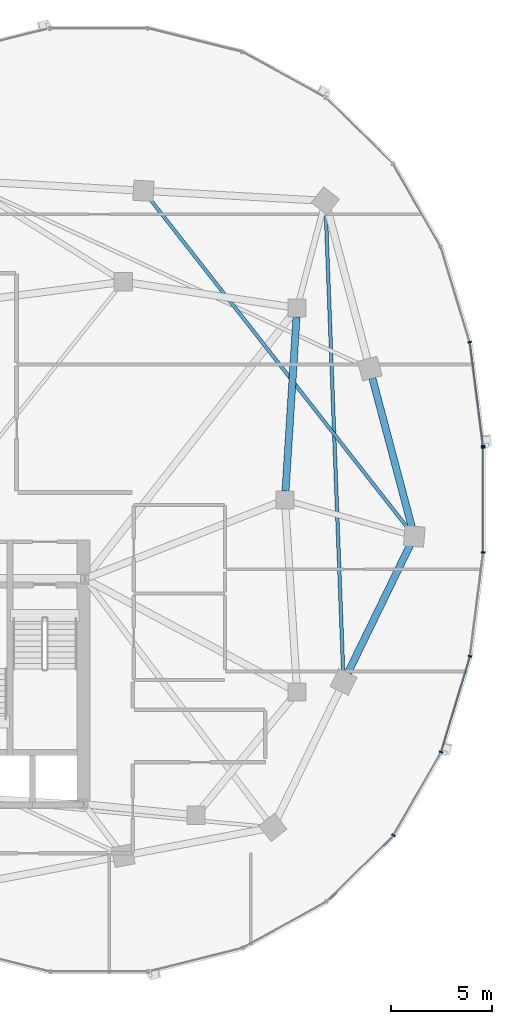
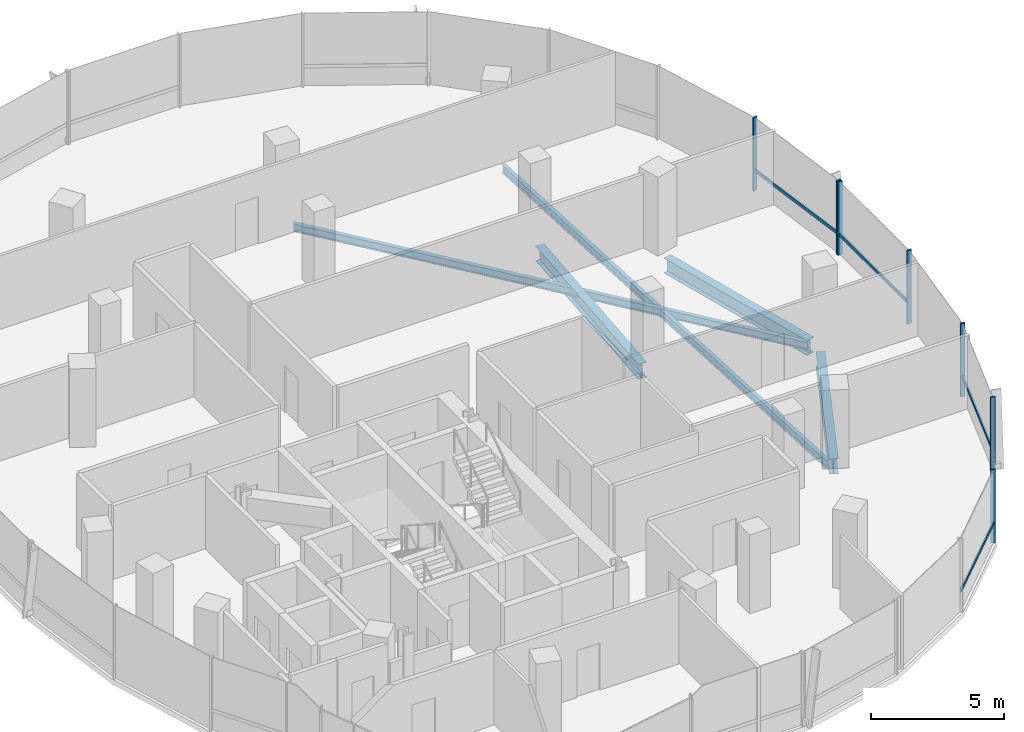
# One storey, part 8 of 23: 11 members, 5 beams, 2 elements without a shape of their own.
"""IFC4 building model written with IfcOpenShell, lengths in metres."""

from ifc_helpers import new_model, si_unit, direction, frame, origin, origin_2d, place, context, subcontext, project, spatial, rectangle, i_section, extrude, material, material_profile, profile_set, type_object, element, aggregate, save


model = new_model("IFC4")

# Units and contexts
model_context = context("Model", 3, precision=1e-05, world=origin(), true_north=direction((0.0, 1.0)))
body_context = subcontext(model_context, "Body", "Model", "MODEL_VIEW")
ifc_project = project(units=[si_unit("LENGTHUNIT", "METRE"), si_unit("AREAUNIT", "SQUARE_METRE"), si_unit("VOLUMEUNIT", "CUBIC_METRE"), si_unit("PLANEANGLEUNIT", "RADIAN"), si_unit("MASSUNIT", "GRAM", prefix="KILO"), si_unit("THERMODYNAMICTEMPERATUREUNIT", "KELVIN"), si_unit("POWERUNIT", "WATT")], contexts=[model_context])

# Site, building, storey
site_placement = place(None, origin())
site = spatial("IfcSite", under=ifc_project, at=site_placement, CompositionType="ELEMENT")
building_placement = place(site_placement, origin())
building = spatial("IfcBuilding", under=site, at=building_placement, Name="Cundina Bronze Exchange", CompositionType="ELEMENT")
storey_placement = place(building_placement, frame((0.0, 0.0, 169.199951171875)))
storey = spatial("IfcBuildingStorey", under=building, at=storey_placement, Name="L44", CompositionType="ELEMENT", Elevation=169.199951171875)

# Beams
ifc_material_1 = material(Name="Steel ASTM A992 Grade 50", Category="steel")
ifc_material_profile_1 = material_profile(ifc_material_1, i_section(OverallWidth=0.172119140625, OverallDepth=0.35791015625, WebThickness=0.0078125, FlangeThickness=0.01318359375, FilletRadius=0.010009765625, at=origin_2d()), Name="W14X38", Category="steel")
ifc_profile_set_1 = profile_set([ifc_material_profile_1], Name="Steel ASTM A992 Grade 50")
beam_type_1 = type_object("IfcBeamType", Name="BM-JST-W14", PredefinedType="JOIST", material=ifc_profile_set_1)
beam_1_placement = place(storey_placement, frame((44.08154296875, -8.51220703125, -0.4189453125), z_axis=(-0.037784933381, 0.999285894431, 0.0), x_axis=(-0.999285894431, -0.037784933381, 0.0)))
element("IfcBeam", 1, at=beam_1_placement, inside=storey, type_object=beam_type_1, Name="L44 Leg E Lobe Floor Joist 07-10", PredefinedType="JOIST", context=body_context, shape_type="SweptSolid", body=[
    extrude(i_section(OverallWidth=0.172119140625, OverallDepth=0.35791015625, WebThickness=0.0078125, FlangeThickness=0.01318359375, FilletRadius=0.010009765625, at=origin_2d()), origin(), (0.0, 0.0, 1.0), 22.8408203125),
])
beam_2_placement = place(storey_placement, frame((47.299072265625, -1.416015625, -0.4189453125), z_axis=(-0.616801484103, 0.787118751656, 0.0), x_axis=(-0.787118751656, -0.616801484103, 0.0)))
element("IfcBeam", 2, at=beam_2_placement, inside=storey, type_object=beam_type_1, Name="L44 Leg E Lobe Floor Joist 08-11", PredefinedType="JOIST", context=body_context, shape_type="SweptSolid", body=[
    extrude(i_section(OverallWidth=0.172119140625, OverallDepth=0.35791015625, WebThickness=0.0078125, FlangeThickness=0.01318359375, FilletRadius=0.010009765625, at=origin_2d()), origin(), (0.0, 0.0, 1.0), 20.7490234375),
])
ifc_material_profile_2 = material_profile(ifc_material_1, i_section(OverallWidth=0.35498046875, OverallDepth=0.695068359375, WebThickness=0.015380859375, FlangeThickness=0.02490234375, FilletRadius=0.01806640625, at=origin_2d()), Name="W27X146", Category="steel")
ifc_profile_set_2 = profile_set([ifc_material_profile_2], Name="Steel ASTM A992 Grade 50")
beam_type_2 = type_object("IfcBeamType", Name="BM-RING-W27", PredefinedType="USERDEFINED", material=ifc_profile_set_2)
beam_3_placement = place(storey_placement, frame((41.2275390625, 0.43701171875, -0.58740234375), z_axis=(0.063046519736, 0.998010589297, 0.0), x_axis=(-0.998010589297, 0.063046519736, 0.0)))
element("IfcBeam", 3, at=beam_3_placement, inside=storey, type_object=beam_type_2, Name="L44 E Inner Structural Ring Girder 04", ObjectType="GIRDER", PredefinedType="USERDEFINED", context=body_context, shape_type="SweptSolid", body=[
    extrude(i_section(OverallWidth=0.35498046875, OverallDepth=0.695068359375, WebThickness=0.015380859375, FlangeThickness=0.02490234375, FilletRadius=0.01806640625, at=origin_2d()), origin(), (0.0, 0.0, 1.0), 8.64306640625),
])
beam_4_placement = place(storey_placement, frame((44.3134765625, -8.56103515625, -0.58740234375), z_axis=(0.437196998825, 0.89936576776, 0.0), x_axis=(-0.89936576776, 0.437196998825, 0.0)))
element("IfcBeam", 4, at=beam_4_placement, inside=storey, type_object=beam_type_2, Name="L44 E Perimeter Ring Girder 07", ObjectType="GIRDER", PredefinedType="USERDEFINED", context=body_context, shape_type="SweptSolid", body=[
    extrude(i_section(OverallWidth=0.35498046875, OverallDepth=0.695068359375, WebThickness=0.015380859375, FlangeThickness=0.02490234375, FilletRadius=0.01806640625, at=origin_2d()), origin(), (0.0, 0.0, 1.0), 7.029541015625),
])
beam_5_placement = place(storey_placement, frame((47.47509765625, -1.328369140625, -0.58740234375), z_axis=(-0.256240814108, 0.966612975904, 0.0), x_axis=(-0.966612975904, -0.256240814108, 0.0)))
element("IfcBeam", 5, at=beam_5_placement, inside=storey, type_object=beam_type_2, Name="L44 E Perimeter Ring Girder 08", ObjectType="GIRDER", PredefinedType="USERDEFINED", context=body_context, shape_type="SweptSolid", body=[
    extrude(i_section(OverallWidth=0.35498046875, OverallDepth=0.695068359375, WebThickness=0.015380859375, FlangeThickness=0.02490234375, FilletRadius=0.01806640625, at=origin_2d()), origin(), (0.0, 0.0, 1.0), 7.61083984375),
])

# Curtain wall, members
ifc_material_2 = material(Name="Anodised Bronze Aluminium 6063-T6", Category="aluminium")
curtain_wall_type = type_object("IfcCurtainWallType", Name="CWS-WST-PIN", PredefinedType="NOTDEFINED", material=ifc_material_2)
curtain_wall_1_placement = place(storey_placement, origin())
curtain_wall_1 = element("IfcCurtainWall", 6, at=curtain_wall_1_placement, inside=storey, type_object=curtain_wall_type, Name="L44 CW-04 Curtain Wall Run CWR-L44-E1", PredefinedType="NOTDEFINED")
ifc_material_profile_3 = material_profile(ifc_material_2, rectangle(XDim=0.070068359375, YDim=0.18994140625, at=origin_2d()), Name="AL70X190", Category="aluminium")
ifc_profile_set_3 = profile_set([ifc_material_profile_3], Name="Anodised Bronze Aluminium 6063-T6")
member_type_1 = type_object("IfcMemberType", Name="CWM-MUL-190", PredefinedType="MULLION", material=ifc_profile_set_3)
member_1_placement = place(storey_placement, frame((51.001708984375, 2.676025390625, 0.0), z_axis=(0.0, 0.0, 1.0), x_axis=(-0.126545236492, 0.991960837494, 0.0)))
member_1 = element("IfcMember", 7, at=member_1_placement, type_object=member_type_1, Name="CW-04 Mullion 1", PredefinedType="MULLION", context=body_context, shape_type="SweptSolid", body=[
    extrude(rectangle(XDim=0.070068359375, YDim=0.18994140625, at=origin_2d()), origin(), (0.0, 0.0, 1.0), 3.360107421875),
])
member_2_placement = place(storey_placement, frame((50.3408203125, 7.80859375, 0.0), z_axis=(0.0, 0.0, 1.0), x_axis=(-0.290034140915, 0.957016299288, 0.0)))
member_2 = element("IfcMember", 8, at=member_2_placement, type_object=member_type_1, Name="CW-04 Mullion 2", PredefinedType="MULLION", context=body_context, shape_type="SweptSolid", body=[
    extrude(rectangle(XDim=0.070068359375, YDim=0.18994140625, at=origin_2d()), origin(), (0.0, 0.0, 1.0), 3.360107421875),
])

curtain_wall_2_placement = place(storey_placement, origin())
curtain_wall_2 = element("IfcCurtainWall", 9, at=curtain_wall_2_placement, inside=storey, type_object=curtain_wall_type, Name="L44 CW-04 Curtain Wall Run CWR-L44-E4", PredefinedType="NOTDEFINED")
member_3_placement = place(storey_placement, frame((46.57080078125, -16.588134765625, 0.0), z_axis=(0.0, 0.0, 1.0), x_axis=(0.498487739754, 0.866896748936, 0.0)))
member_3 = element("IfcMember", 10, at=member_3_placement, type_object=member_type_1, Name="CW-04 Mullion 4", PredefinedType="MULLION", context=body_context, shape_type="SweptSolid", body=[
    extrude(rectangle(XDim=0.070068359375, YDim=0.18994140625, at=origin_2d()), origin(), (0.0, 0.0, 1.0), 3.360107421875),
])
member_4_placement = place(storey_placement, frame((48.92626953125, -12.4755859375, 0.0), z_axis=(0.0, 0.0, 1.0), x_axis=(0.290034140915, 0.957016299288, 0.0)))
member_4 = element("IfcMember", 11, at=member_4_placement, type_object=member_type_1, Name="CW-04 Mullion 5", PredefinedType="MULLION", context=body_context, shape_type="SweptSolid", body=[
    extrude(rectangle(XDim=0.070068359375, YDim=0.18994140625, at=origin_2d()), origin(), (0.0, 0.0, 1.0), 3.360107421875),
])
member_5_placement = place(storey_placement, frame((50.357177734375, -7.731689453125, 0.0), z_axis=(0.0, 0.0, 1.0), x_axis=(0.126545236492, 0.991960837494, 0.0)))
member_5 = element("IfcMember", 12, at=member_5_placement, type_object=member_type_1, Name="CW-04 Mullion 6", PredefinedType="MULLION", context=body_context, shape_type="SweptSolid", body=[
    extrude(rectangle(XDim=0.070068359375, YDim=0.18994140625, at=origin_2d()), origin(), (0.0, 0.0, 1.0), 3.360107421875),
])
member_6_placement = place(storey_placement, frame((51.007080078125, -2.593017578125, 0.0), z_axis=(0.0, 0.0, 1.0), x_axis=(0.0, 1.0, 0.0)))
member_6 = element("IfcMember", 13, at=member_6_placement, type_object=member_type_1, Name="CW-04 Mullion 7", PredefinedType="MULLION", context=body_context, shape_type="SweptSolid", body=[
    extrude(rectangle(XDim=0.070068359375, YDim=0.18994140625, at=origin_2d()), origin(), (0.0, 0.0, 1.0), 3.360107421875),
])
member_7_placement = place(storey_placement, frame((51.007080078125, 2.593017578125, 0.0), z_axis=(0.0, 0.0, 1.0), x_axis=(0.0, 1.0, 0.0)))
member_7 = element("IfcMember", 14, at=member_7_placement, type_object=member_type_1, Name="CW-04 End Mullion", PredefinedType="MULLION", context=body_context, shape_type="SweptSolid", body=[
    extrude(rectangle(XDim=0.070068359375, YDim=0.18994140625, at=origin_2d()), origin(), (0.0, 0.0, 1.0), 3.360107421875),
])

# Member
ifc_material_profile_4 = material_profile(ifc_material_2, rectangle(XDim=0.06494140625, YDim=0.14990234375, at=origin_2d()), Name="AL65X150", Category="aluminium")
ifc_profile_set_4 = profile_set([ifc_material_profile_4], Name="Anodised Bronze Aluminium 6063-T6")
member_type_2 = type_object("IfcMemberType", Name="CWM-TRN-150", PredefinedType="USERDEFINED", material=ifc_profile_set_4)
member_8_placement = place(storey_placement, frame((50.996826171875, 2.71435546875, 0.920166015625), z_axis=(-0.12646340362, 0.991971273548, 0.0), x_axis=(-0.991971273548, -0.12646340362, 0.0)))
member_8 = element("IfcMember", 15, at=member_8_placement, type_object=member_type_2, Name="CW-04 Spandrel Transom 1", ObjectType="TRANSOM", PredefinedType="USERDEFINED", context=body_context, shape_type="SweptSolid", body=[
    extrude(rectangle(XDim=0.06494140625, YDim=0.14990234375, at=origin_2d()), origin(), (0.0, 0.0, 1.0), 5.0966796875),
])

aggregate(curtain_wall_1, [member_1, member_8, member_2])

member_9_placement = place(storey_placement, frame((43.28662109375, -19.839599609375, 0.920166015625), z_axis=(0.712005023839, 0.702174370102, 0.0), x_axis=(-0.702174370102, 0.712005023839, 0.0)))
member_9 = element("IfcMember", 16, at=member_9_placement, type_object=member_type_2, Name="CW-04 Spandrel Transom 3", ObjectType="TRANSOM", PredefinedType="USERDEFINED", context=body_context, shape_type="SweptSolid", body=[
    extrude(rectangle(XDim=0.06494140625, YDim=0.14990234375, at=origin_2d()), origin(), (0.0, 0.0, 1.0), 4.594482421875),
])

member_10_placement = place(storey_placement, frame((48.937255859375, -12.43896484375, 0.920166015625), z_axis=(0.290051855969, 0.957010930371, 0.0), x_axis=(-0.957010930371, 0.290051855969, 0.0)))
member_10 = element("IfcMember", 17, at=member_10_placement, type_object=member_type_2, Name="CW-04 Spandrel Transom 5", ObjectType="TRANSOM", PredefinedType="USERDEFINED", context=body_context, shape_type="SweptSolid", body=[
    extrude(rectangle(XDim=0.06494140625, YDim=0.14990234375, at=origin_2d()), origin(), (0.0, 0.0, 1.0), 4.876953125),
])

member_11_placement = place(storey_placement, frame((51.007080078125, -2.554443359375, 0.920166015625), z_axis=(0.0, 1.0, 0.0), x_axis=(-1.0, 0.0, 0.0)))
member_11 = element("IfcMember", 18, at=member_11_placement, type_object=member_type_2, Name="CW-04 Spandrel Transom 7", ObjectType="TRANSOM", PredefinedType="USERDEFINED", context=body_context, shape_type="SweptSolid", body=[
    extrude(rectangle(XDim=0.06494140625, YDim=0.14990234375, at=origin_2d()), origin(), (0.0, 0.0, 1.0), 5.10888671875),
])

aggregate(curtain_wall_2, [member_9, member_3, member_4, member_10, member_5, member_6, member_7, member_11])

save(model, "model.ifc")
